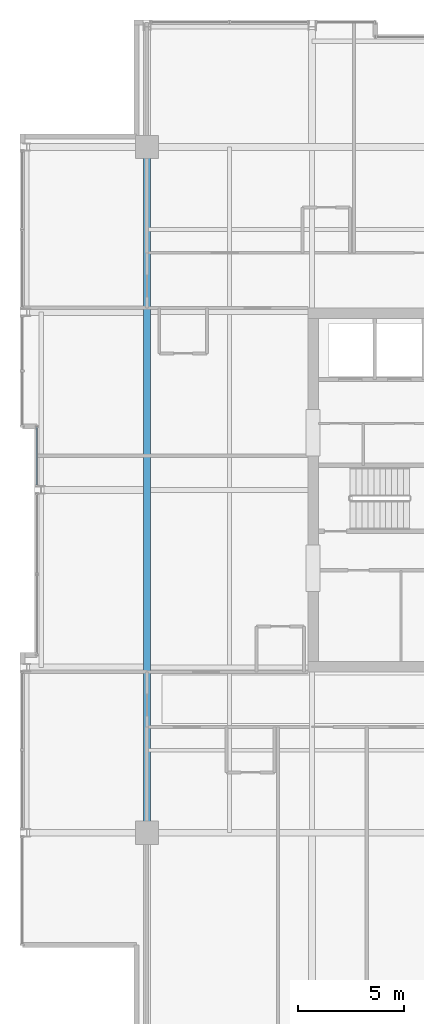
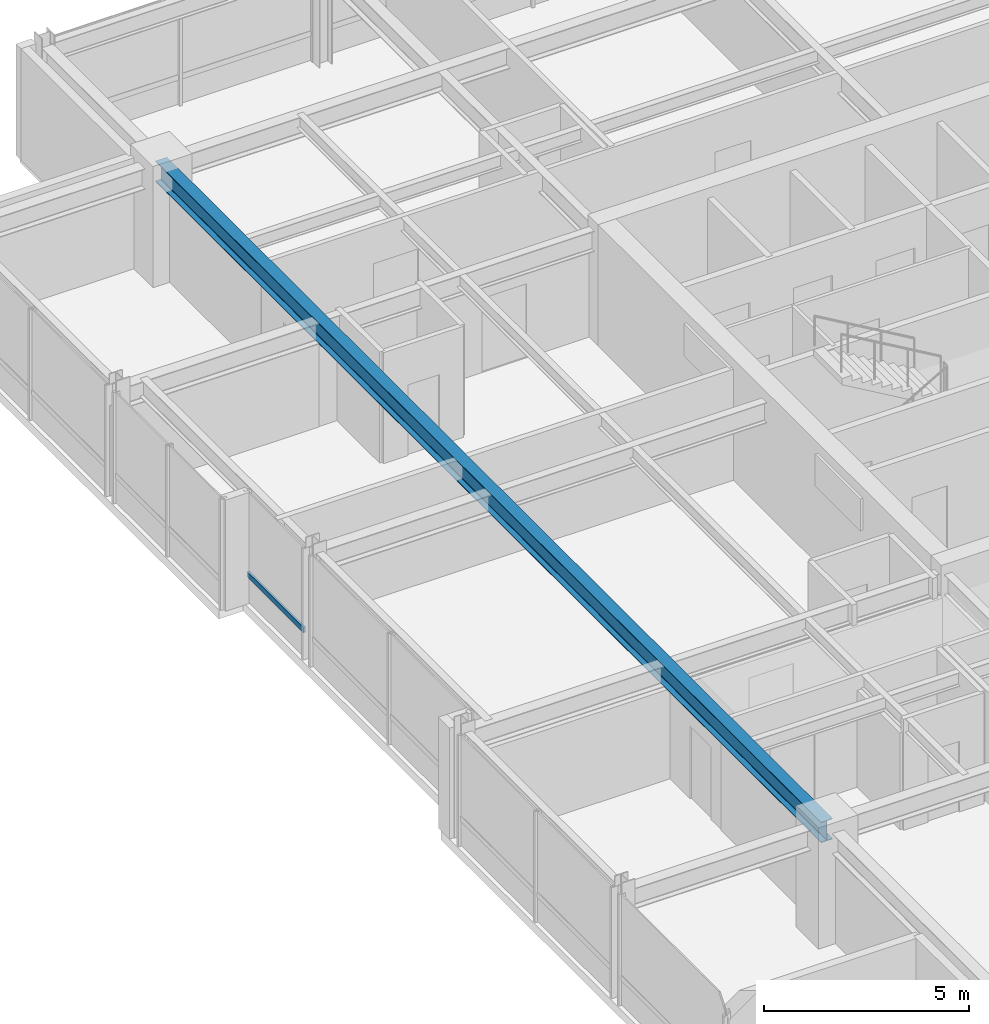
# One storey, part 11 of 34: 1 beam, 1 member, 1 element without a shape of its own.
"""IFC4 building model written with IfcOpenShell, lengths in metres."""

from ifc_helpers import new_model, si_unit, direction, frame, origin, origin_2d, place, context, subcontext, project, spatial, hollow_rectangle, i_section, extrude, material, layer, layer_set, material_profile, profile_set, type_object, element, aggregate, save


model = new_model("IFC4")

# Units and contexts
model_context = context("Model", 3, precision=1e-05, world=origin(), true_north=direction((0.0, 1.0)))
body_context = subcontext(model_context, "Body", "Model", "MODEL_VIEW")
ifc_project = project(units=[si_unit("LENGTHUNIT", "METRE"), si_unit("AREAUNIT", "SQUARE_METRE"), si_unit("VOLUMEUNIT", "CUBIC_METRE"), si_unit("PLANEANGLEUNIT", "RADIAN"), si_unit("MASSUNIT", "GRAM", prefix="KILO")], contexts=[model_context])

# Site, building, storey
site_placement = place(None, origin())
site = spatial("IfcSite", under=ifc_project, at=site_placement, CompositionType="ELEMENT")
building_placement = place(site_placement, origin())
building = spatial("IfcBuilding", under=site, at=building_placement, Name="Drelvath Grand Hotel", CompositionType="ELEMENT")
storey_placement = place(building_placement, frame((0.0, 0.0, 251.89990234375)))
storey = spatial("IfcBuildingStorey", under=building, at=storey_placement, Name="L66", CompositionType="ELEMENT", Elevation=251.89990234375)

# Curtain wall, member
ifc_material_1 = material(Name="Platinum-Mist Anodised Aluminium Frame", Category="aluminium")
ifc_layer = layer(ifc_material_1, 0.199951171875)
ifc_layer_set = layer_set([ifc_layer], Name="Platinum-Mist Anodised Aluminium Frame")
curtain_wall_type = type_object("IfcCurtainWallType", Name="Stick Curtain Wall CW-05 Platinum Mist High-Rise", PredefinedType="NOTDEFINED", material=ifc_layer_set)
curtain_wall_placement = place(storey_placement, origin())
curtain_wall = element("IfcCurtainWall", 1, at=curtain_wall_placement, inside=storey, type_object=curtain_wall_type, Name="L66 CW-05 Curtain Wall CW05-L66-WM2", PredefinedType="NOTDEFINED")
ifc_material_profile_1 = material_profile(ifc_material_1, hollow_rectangle(XDim=0.06494140625, YDim=0.159912109375, WallThickness=0.00390625, at=origin_2d()), Name="HSS160X65X4")
ifc_profile_set_1 = profile_set([ifc_material_profile_1], Name="Platinum-Mist Anodised Aluminium Frame")
member_type = type_object("IfcMemberType", Name="Curtain Wall Horizontal Transom CW-05 HSS160X65X4", PredefinedType="USERDEFINED", material=ifc_profile_set_1)
member_placement = place(storey_placement, frame((-21.39990234375, 27.21826171875, 0.8251953125), z_axis=(0.0, 1.0, 0.0), x_axis=(-1.0, 0.0, 0.0)))
member = element("IfcMember", 2, at=member_placement, type_object=member_type, Name="CW05-L66-WM2 Sill Transom", ObjectType="TRANSOM", PredefinedType="USERDEFINED", context=body_context, shape_type="SweptSolid", body=[
    extrude(hollow_rectangle(XDim=0.06494140625, YDim=0.159912109375, WallThickness=0.00390625, at=origin_2d()), origin(), (0.0, 0.0, 1.0), 2.74169921875),
])
aggregate(curtain_wall, [member])

# Beam
ifc_material_2 = material(Name="Steel ASTM A992 Gr 50", Category="steel")
ifc_material_profile_2 = material_profile(ifc_material_2, i_section(OverallWidth=0.323974609375, OverallDepth=0.611083984375, WebThickness=0.0126953125, FlangeThickness=0.01904296875, FilletRadius=0.02197265625, at=origin_2d()), Name="W24X104")
ifc_profile_set_2 = profile_set([ifc_material_profile_2], Name="Steel ASTM A992 Gr 50")
beam_type = type_object("IfcBeamType", Name="Primary Floor Girder W24X104", PredefinedType="BEAM", material=ifc_profile_set_2)
beam_placement = place(storey_placement, frame((-16.199951171875, 10.800048828125, 2.994384765625), z_axis=(0.0, 1.0, 0.0), x_axis=(-1.0, 0.0, 0.0)))
element("IfcBeam", 3, at=beam_placement, inside=storey, type_object=beam_type, Name="L66 Mega Ring Girder West", PredefinedType="BEAM", context=body_context, shape_type="SweptSolid", body=[
    extrude(i_section(OverallWidth=0.323974609375, OverallDepth=0.611083984375, WebThickness=0.0126953125, FlangeThickness=0.01904296875, FilletRadius=0.02197265625, at=origin_2d()), origin(), (0.0, 0.0, 1.0), 32.39990234375),
])

save(model, "model.ifc")
